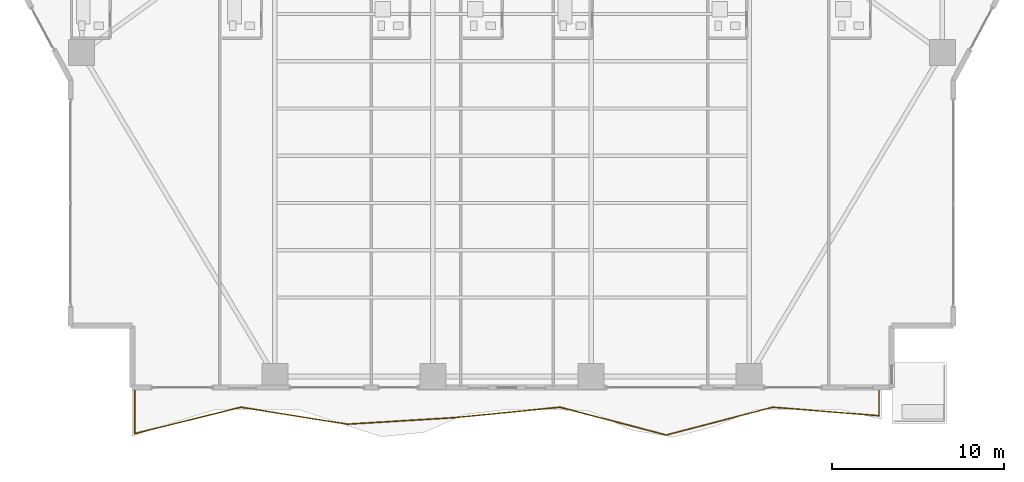
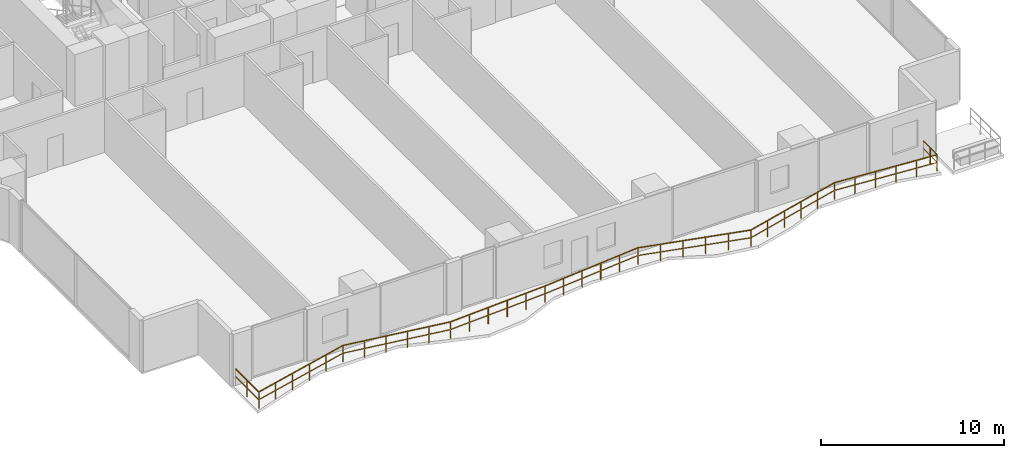
# One storey, part 23 of 29: 1 railing.
"""IFC4 building model written with IfcOpenShell, lengths in metres."""

from ifc_helpers import new_model, si_unit, direction, frame, origin, origin_2d, place, context, subcontext, project, spatial, rectangle, extrude, material, type_object, element, save


model = new_model("IFC4")

# Units and contexts
model_context = context("Model", 3, precision=1e-05, world=origin(), true_north=direction((0.0, 1.0)))
body_context = subcontext(model_context, "Body", "Model", "MODEL_VIEW")
ifc_project = project(units=[si_unit("LENGTHUNIT", "METRE"), si_unit("AREAUNIT", "SQUARE_METRE"), si_unit("VOLUMEUNIT", "CUBIC_METRE"), si_unit("PLANEANGLEUNIT", "RADIAN"), si_unit("MASSUNIT", "GRAM", prefix="KILO")], contexts=[model_context])

# Site, building, storey
site_placement = place(None, origin())
site = spatial("IfcSite", under=ifc_project, at=site_placement, CompositionType="ELEMENT")
building_placement = place(site_placement, origin())
building = spatial("IfcBuilding", under=site, at=building_placement, Name="Zuhayl Quay Hotel", CompositionType="ELEMENT")
storey_placement = place(building_placement, frame((0.0, 0.0, 42.199951171875)))
storey = spatial("IfcBuildingStorey", under=building, at=storey_placement, Name="L09", CompositionType="ELEMENT", Elevation=42.199951171875)

# Railing
ifc_material = material(Name="Anodised Aluminium and Laminated Glass", Category="aluminium")
railing_type = type_object("IfcRailingType", Name="RL_EXT_BAL_1100", PredefinedType="BALUSTRADE", material=ifc_material)
railing_placement = place(storey_placement, frame((-21.9599609375, -23.219970703125, 0.0)))
element("IfcRailing", 1, at=railing_placement, inside=storey, type_object=railing_type, Name="L09 Balcony and Terrace Guard GR_L09_BAL_S", PredefinedType="BALUSTRADE", context=body_context, shape_type="SweptSolid", body=[
    extrude(rectangle(XDim=0.048095703125, YDim=0.048095703125, at=origin_2d()), frame((0.0, 0.0, 1.09619140625), z_axis=(0.0, -1.0, 0.0), x_axis=(1.0, 0.0, 0.0)), (0.0, 0.0, 1.0), 2.555908203125),
    extrude(rectangle(XDim=0.0361328125, YDim=0.0361328125, at=origin_2d()), frame((0.0, 0.0, 0.58251953125), z_axis=(0.0, -1.0, 0.0), x_axis=(1.0, 0.0, 0.0)), (0.0, 0.0, 1.0), 2.555908203125),
    extrude(rectangle(XDim=0.048095703125, YDim=0.048095703125, at=origin_2d()), frame((0.0, -2.555908203125, 1.09619140625), z_axis=(0.970555508528, 0.240877572359, 0.0), x_axis=(-0.240877572359, 0.970555508528, 0.0)), (0.0, 0.0, 1.0), 6.376220703125),
    extrude(rectangle(XDim=0.0361328125, YDim=0.0361328125, at=origin_2d()), frame((0.0, -2.555908203125, 0.58251953125), z_axis=(0.970555508528, 0.240877572359, 0.0), x_axis=(-0.240877572359, 0.970555508528, 0.0)), (0.0, 0.0, 1.0), 6.376220703125),
    extrude(rectangle(XDim=0.048095703125, YDim=0.048095703125, at=origin_2d()), frame((6.1884765625, -1.02001953125, 1.09619140625), z_axis=(0.987493330479, -0.157660782249, 0.0), x_axis=(0.157660782249, 0.987493330479, 0.0)), (0.0, 0.0, 1.0), 6.266845703125),
    extrude(rectangle(XDim=0.0361328125, YDim=0.0361328125, at=origin_2d()), frame((6.1884765625, -1.02001953125, 0.58251953125), z_axis=(0.987493330479, -0.157660782249, 0.0), x_axis=(0.157660782249, 0.987493330479, 0.0)), (0.0, 0.0, 1.0), 6.266845703125),
    extrude(rectangle(XDim=0.048095703125, YDim=0.048095703125, at=origin_2d()), frame((12.376953125, -2.008056640625, 1.09619140625), z_axis=(0.998150149796, 0.060797026758, 0.0), x_axis=(-0.060797026758, 0.998150149796, 0.0)), (0.0, 0.0, 1.0), 6.2001953125),
    extrude(rectangle(XDim=0.0361328125, YDim=0.0361328125, at=origin_2d()), frame((12.376953125, -2.008056640625, 0.58251953125), z_axis=(0.998150149796, 0.060797026758, 0.0), x_axis=(-0.060797026758, 0.998150149796, 0.0)), (0.0, 0.0, 1.0), 6.2001953125),
    extrude(rectangle(XDim=0.048095703125, YDim=0.048095703125, at=origin_2d()), frame((18.565673828125, -1.631103515625, 1.09619140625), z_axis=(0.995160032812, 0.098267538351, 0.0), x_axis=(-0.098267538351, 0.995160032812, 0.0)), (0.0, 0.0, 1.0), 6.218505859375),
    extrude(rectangle(XDim=0.0361328125, YDim=0.0361328125, at=origin_2d()), frame((18.565673828125, -1.631103515625, 0.58251953125), z_axis=(0.995160032812, 0.098267538351, 0.0), x_axis=(-0.098267538351, 0.995160032812, 0.0)), (0.0, 0.0, 1.0), 6.218505859375),
    extrude(rectangle(XDim=0.048095703125, YDim=0.048095703125, at=origin_2d()), frame((24.754150390625, -1.02001953125, 1.09619140625), z_axis=(0.967456579166, -0.25303708706, 0.0), x_axis=(0.25303708706, 0.967456579166, 0.0)), (0.0, 0.0, 1.0), 6.39697265625),
    extrude(rectangle(XDim=0.0361328125, YDim=0.0361328125, at=origin_2d()), frame((24.754150390625, -1.02001953125, 0.58251953125), z_axis=(0.967456579166, -0.25303708706, 0.0), x_axis=(0.25303708706, 0.967456579166, 0.0)), (0.0, 0.0, 1.0), 6.39697265625),
    extrude(rectangle(XDim=0.048095703125, YDim=0.048095703125, at=origin_2d()), frame((30.94287109375, -2.638671875, 1.09619140625), z_axis=(0.967454135381, 0.253046430392, 0.0), x_axis=(-0.253046430392, 0.967454135381, 0.0)), (0.0, 0.0, 1.0), 6.396728515625),
    extrude(rectangle(XDim=0.0361328125, YDim=0.0361328125, at=origin_2d()), frame((30.94287109375, -2.638671875, 0.58251953125), z_axis=(0.967454135381, 0.253046430392, 0.0), x_axis=(-0.253046430392, 0.967454135381, 0.0)), (0.0, 0.0, 1.0), 6.396728515625),
    extrude(rectangle(XDim=0.048095703125, YDim=0.048095703125, at=origin_2d()), frame((37.13134765625, -1.02001953125, 1.09619140625), z_axis=(0.996786833161, -0.080099995233, 0.0), x_axis=(0.080099995233, 0.996786833161, 0.0)), (0.0, 0.0, 1.0), 6.208740234375),
    extrude(rectangle(XDim=0.0361328125, YDim=0.0361328125, at=origin_2d()), frame((37.13134765625, -1.02001953125, 0.58251953125), z_axis=(0.996786833161, -0.080099995233, 0.0), x_axis=(0.080099995233, 0.996786833161, 0.0)), (0.0, 0.0, 1.0), 6.208740234375),
    extrude(rectangle(XDim=0.048095703125, YDim=0.048095703125, at=origin_2d()), frame((43.320068359375, -1.517333984375, 1.09619140625), z_axis=(0.0, 1.0, 0.0), x_axis=(-1.0, 0.0, 0.0)), (0.0, 0.0, 1.0), 1.517333984375),
    extrude(rectangle(XDim=0.0361328125, YDim=0.0361328125, at=origin_2d()), frame((43.320068359375, -1.517333984375, 0.58251953125), z_axis=(0.0, 1.0, 0.0), x_axis=(-1.0, 0.0, 0.0)), (0.0, 0.0, 1.0), 1.517333984375),
    extrude(rectangle(XDim=0.0419921875, YDim=0.0419921875, at=origin_2d()), origin(), (0.0, 0.0, 1.0), 1.072021484375),
    extrude(rectangle(XDim=0.0419921875, YDim=0.0419921875, at=origin_2d()), frame((0.0, -1.27783203125, 0.0)), (0.0, 0.0, 1.0), 1.072021484375),
    extrude(rectangle(XDim=0.0419921875, YDim=0.0419921875, at=origin_2d()), frame((0.0, -2.555908203125, 0.0)), (0.0, 0.0, 1.0), 1.072021484375),
    extrude(rectangle(XDim=0.0419921875, YDim=0.0419921875, at=origin_2d()), frame((1.23779296875, -2.248779296875, 0.0)), (0.0, 0.0, 1.0), 1.072021484375),
    extrude(rectangle(XDim=0.0419921875, YDim=0.0419921875, at=origin_2d()), frame((2.475341796875, -1.941650390625, 0.0)), (0.0, 0.0, 1.0), 1.072021484375),
    extrude(rectangle(XDim=0.0419921875, YDim=0.0419921875, at=origin_2d()), frame((3.713134765625, -1.63427734375, 0.0)), (0.0, 0.0, 1.0), 1.072021484375),
    extrude(rectangle(XDim=0.0419921875, YDim=0.0419921875, at=origin_2d()), frame((4.95068359375, -1.3271484375, 0.0)), (0.0, 0.0, 1.0), 1.072021484375),
    extrude(rectangle(XDim=0.0419921875, YDim=0.0419921875, at=origin_2d()), frame((6.1884765625, -1.02001953125, 0.0)), (0.0, 0.0, 1.0), 1.072021484375),
    extrude(rectangle(XDim=0.0419921875, YDim=0.0419921875, at=origin_2d()), frame((7.42626953125, -1.217529296875, 0.0)), (0.0, 0.0, 1.0), 1.072021484375),
    extrude(rectangle(XDim=0.0419921875, YDim=0.0419921875, at=origin_2d()), frame((8.663818359375, -1.415283203125, 0.0)), (0.0, 0.0, 1.0), 1.072021484375),
    extrude(rectangle(XDim=0.0419921875, YDim=0.0419921875, at=origin_2d()), frame((9.901611328125, -1.61279296875, 0.0)), (0.0, 0.0, 1.0), 1.072021484375),
    extrude(rectangle(XDim=0.0419921875, YDim=0.0419921875, at=origin_2d()), frame((11.13916015625, -1.810546875, 0.0)), (0.0, 0.0, 1.0), 1.072021484375),
    extrude(rectangle(XDim=0.0419921875, YDim=0.0419921875, at=origin_2d()), frame((12.376953125, -2.008056640625, 0.0)), (0.0, 0.0, 1.0), 1.072021484375),
    extrude(rectangle(XDim=0.0419921875, YDim=0.0419921875, at=origin_2d()), frame((13.61474609375, -1.9326171875, 0.0)), (0.0, 0.0, 1.0), 1.072021484375),
    extrude(rectangle(XDim=0.0419921875, YDim=0.0419921875, at=origin_2d()), frame((14.8525390625, -1.857177734375, 0.0)), (0.0, 0.0, 1.0), 1.072021484375),
    extrude(rectangle(XDim=0.0419921875, YDim=0.0419921875, at=origin_2d()), frame((16.090087890625, -1.781982421875, 0.0)), (0.0, 0.0, 1.0), 1.072021484375),
    extrude(rectangle(XDim=0.0419921875, YDim=0.0419921875, at=origin_2d()), frame((17.327880859375, -1.70654296875, 0.0)), (0.0, 0.0, 1.0), 1.072021484375),
    extrude(rectangle(XDim=0.0419921875, YDim=0.0419921875, at=origin_2d()), frame((18.565673828125, -1.631103515625, 0.0)), (0.0, 0.0, 1.0), 1.072021484375),
    extrude(rectangle(XDim=0.0419921875, YDim=0.0419921875, at=origin_2d()), frame((19.803466796875, -1.5087890625, 0.0)), (0.0, 0.0, 1.0), 1.072021484375),
    extrude(rectangle(XDim=0.0419921875, YDim=0.0419921875, at=origin_2d()), frame((21.041015625, -1.38671875, 0.0)), (0.0, 0.0, 1.0), 1.072021484375),
    extrude(rectangle(XDim=0.0419921875, YDim=0.0419921875, at=origin_2d()), frame((22.27880859375, -1.264404296875, 0.0)), (0.0, 0.0, 1.0), 1.072021484375),
    extrude(rectangle(XDim=0.0419921875, YDim=0.0419921875, at=origin_2d()), frame((23.516357421875, -1.142333984375, 0.0)), (0.0, 0.0, 1.0), 1.072021484375),
    extrude(rectangle(XDim=0.0419921875, YDim=0.0419921875, at=origin_2d()), frame((24.754150390625, -1.02001953125, 0.0)), (0.0, 0.0, 1.0), 1.072021484375),
    extrude(rectangle(XDim=0.0419921875, YDim=0.0419921875, at=origin_2d()), frame((25.991943359375, -1.34375, 0.0)), (0.0, 0.0, 1.0), 1.072021484375),
    extrude(rectangle(XDim=0.0419921875, YDim=0.0419921875, at=origin_2d()), frame((27.229736328125, -1.66748046875, 0.0)), (0.0, 0.0, 1.0), 1.072021484375),
    extrude(rectangle(XDim=0.0419921875, YDim=0.0419921875, at=origin_2d()), frame((28.46728515625, -1.9912109375, 0.0)), (0.0, 0.0, 1.0), 1.072021484375),
    extrude(rectangle(XDim=0.0419921875, YDim=0.0419921875, at=origin_2d()), frame((29.705078125, -2.31494140625, 0.0)), (0.0, 0.0, 1.0), 1.072021484375),
    extrude(rectangle(XDim=0.0419921875, YDim=0.0419921875, at=origin_2d()), frame((30.94287109375, -2.638671875, 0.0)), (0.0, 0.0, 1.0), 1.072021484375),
    extrude(rectangle(XDim=0.0419921875, YDim=0.0419921875, at=origin_2d()), frame((32.1806640625, -2.31494140625, 0.0)), (0.0, 0.0, 1.0), 1.072021484375),
    extrude(rectangle(XDim=0.0419921875, YDim=0.0419921875, at=origin_2d()), frame((33.418212890625, -1.9912109375, 0.0)), (0.0, 0.0, 1.0), 1.072021484375),
    extrude(rectangle(XDim=0.0419921875, YDim=0.0419921875, at=origin_2d()), frame((34.656005859375, -1.66748046875, 0.0)), (0.0, 0.0, 1.0), 1.072021484375),
    extrude(rectangle(XDim=0.0419921875, YDim=0.0419921875, at=origin_2d()), frame((35.8935546875, -1.34375, 0.0)), (0.0, 0.0, 1.0), 1.072021484375),
    extrude(rectangle(XDim=0.0419921875, YDim=0.0419921875, at=origin_2d()), frame((37.13134765625, -1.02001953125, 0.0)), (0.0, 0.0, 1.0), 1.072021484375),
    extrude(rectangle(XDim=0.0419921875, YDim=0.0419921875, at=origin_2d()), frame((38.369140625, -1.119384765625, 0.0)), (0.0, 0.0, 1.0), 1.072021484375),
    extrude(rectangle(XDim=0.0419921875, YDim=0.0419921875, at=origin_2d()), frame((39.60693359375, -1.218994140625, 0.0)), (0.0, 0.0, 1.0), 1.072021484375),
    extrude(rectangle(XDim=0.0419921875, YDim=0.0419921875, at=origin_2d()), frame((40.844482421875, -1.318359375, 0.0)), (0.0, 0.0, 1.0), 1.072021484375),
    extrude(rectangle(XDim=0.0419921875, YDim=0.0419921875, at=origin_2d()), frame((42.082275390625, -1.41796875, 0.0)), (0.0, 0.0, 1.0), 1.072021484375),
    extrude(rectangle(XDim=0.0419921875, YDim=0.0419921875, at=origin_2d()), frame((43.320068359375, -1.517333984375, 0.0)), (0.0, 0.0, 1.0), 1.072021484375),
    extrude(rectangle(XDim=0.0419921875, YDim=0.0419921875, at=origin_2d()), frame((43.320068359375, -0.7587890625, 0.0)), (0.0, 0.0, 1.0), 1.072021484375),
    extrude(rectangle(XDim=0.0419921875, YDim=0.0419921875, at=origin_2d()), frame((43.320068359375, 0.0, 0.0)), (0.0, 0.0, 1.0), 1.072021484375),
])

save(model, "model.ifc")
